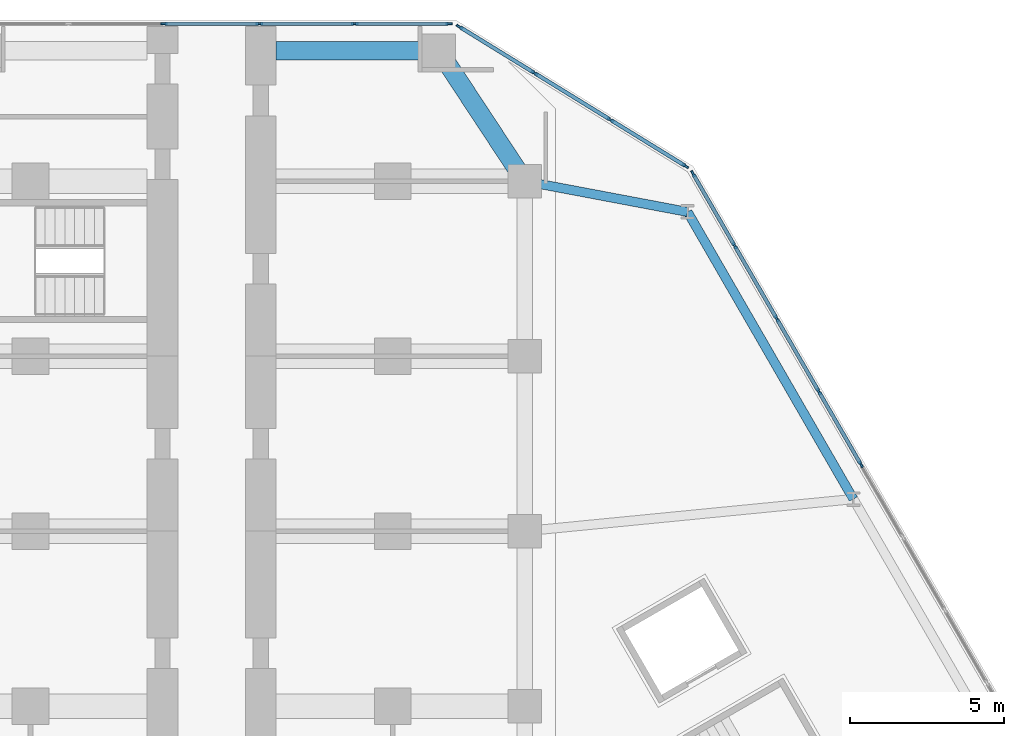
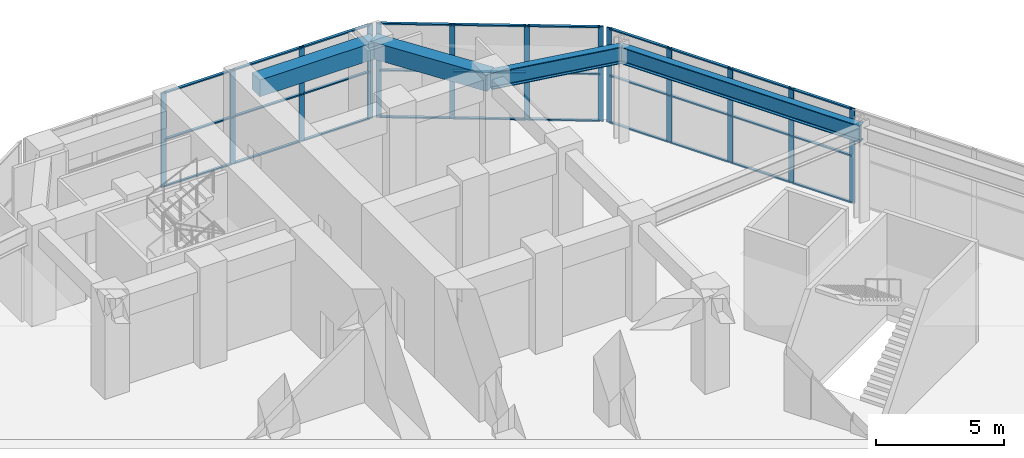
# One storey, part 10 of 22: 43 members, 4 beams, 3 elements without a shape of their own.
"""IFC4 building model written with IfcOpenShell, lengths in metres."""

import ifcopenshell
import ifcopenshell.guid

model = None  # the IFC model being written
_history = None  # IfcOwnerHistory: only IFC2X3 demands one
_inside = {}  # id of a spatial element -> (the spatial element, [elements in it])
_under = {}  # id of a project, library or spatial element -> (it, [spatial elements below it])
_declared = {}  # id of a project -> (the project, [libraries it declares])
_typed = {}  # id of a type object -> (the type object, [elements of that type])
_made_of = {}  # id of a material, layer set ... -> (it, [elements and type objects made of it])


def new_model(schema):
    """Start an empty IFC model of exactly this schema.

    Asked for "IFC4X3", IfcOpenShell would pick the latest addendum, in which some entities
    have other attributes; the version numbers below select the first issue.
    IFC2X3 requires an IfcOwnerHistory on every rooted entity: one is made here for all.
    """
    global model, _history
    if schema == "IFC4X3":
        model = ifcopenshell.file(schema_version=(4, 3, 0, 0))
    else:
        model = ifcopenshell.file(schema=schema)
    _inside.clear()
    _under.clear()
    _declared.clear()
    _typed.clear()
    _made_of.clear()
    _history = None
    if model.schema == "IFC2X3":
        org = make("IfcOrganization", Name="unknown")
        user = make(
            "IfcPersonAndOrganization",
            ThePerson=make("IfcPerson", FamilyName="unknown"),
            TheOrganization=org,
        )
        app = make(
            "IfcApplication",
            ApplicationDeveloper=org,
            Version="unknown",
            ApplicationFullName="unknown",
            ApplicationIdentifier="unknown",
        )
        _history = make(
            "IfcOwnerHistory",
            OwningUser=user,
            OwningApplication=app,
            ChangeAction="ADDED",
            CreationDate=0,
        )
    return model


def make(cls, **values):
    """One entity of the class cls with the attributes given. An attribute that is None is left unset."""
    return model.create_entity(
        cls, **{name: value for name, value in values.items() if value is not None}
    )


def rooted(cls, **values):
    """An entity with a GlobalId (a new one), such as an element, a storey or a relation."""
    return make(cls, GlobalId=ifcopenshell.guid.new(), OwnerHistory=_history, **values)


def si_unit(unit_type, name, prefix=None):
    """IfcSIUnit, for example si_unit("LENGTHUNIT", "METRE", prefix="MILLI")."""
    return make("IfcSIUnit", UnitType=unit_type, Prefix=prefix, Name=name)


def assignment(units):
    """IfcUnitAssignment: the units of a project."""
    return None if units is None else make("IfcUnitAssignment", Units=units)


def point(xyz):
    """IfcCartesianPoint."""
    return None if xyz is None else make("IfcCartesianPoint", Coordinates=xyz)


def direction(xyz):
    """IfcDirection."""
    return None if xyz is None else make("IfcDirection", DirectionRatios=xyz)


def frame(location, z_axis=None, x_axis=None):
    """IfcAxis2Placement3D, a coordinate frame: its origin and axes. An axis left out is left unset."""
    return make(
        "IfcAxis2Placement3D",
        Location=point(location),
        Axis=direction(z_axis),
        RefDirection=direction(x_axis),
    )


def frame_2d(location, x_axis=None):
    """IfcAxis2Placement2D, a coordinate frame in the plane: its origin and x axis."""
    return make(
        "IfcAxis2Placement2D", Location=point(location), RefDirection=direction(x_axis)
    )


def origin():
    """The frame at (0, 0, 0) with its axes left unset."""
    return frame((0.0, 0.0, 0.0))


def origin_2d():
    """The frame at (0, 0) in the plane with its x axis left unset."""
    return frame_2d((0.0, 0.0))


def place(relative_to, where):
    """IfcLocalPlacement: puts the frame where relative to a parent placement (None: the world)."""
    return make(
        "IfcLocalPlacement", PlacementRelTo=relative_to, RelativePlacement=where
    )


def context(
    kind, dimensions, precision=None, world=None, true_north=None, identifier=None
):
    """IfcGeometricRepresentationContext, for example the 3D "Model" context."""
    return make(
        "IfcGeometricRepresentationContext",
        ContextIdentifier=identifier,
        ContextType=kind,
        CoordinateSpaceDimension=dimensions,
        Precision=precision,
        WorldCoordinateSystem=world,
        TrueNorth=true_north,
    )


def subcontext(parent, identifier, kind, view, scale=None):
    """IfcGeometricRepresentationSubContext, for example "Body" below "Model"."""
    return make(
        "IfcGeometricRepresentationSubContext",
        ContextIdentifier=identifier,
        ContextType=kind,
        ParentContext=parent,
        TargetScale=scale,
        TargetView=view,
    )


def project(units=None, contexts=None):
    """IfcProject with its units and contexts."""
    return rooted(
        "IfcProject",
        Name="project",
        RepresentationContexts=contexts,
        UnitsInContext=assignment(units),
    )


def spatial(cls, under=None, at=None, **own):
    """A site, building, storey or space (cls), placed at a placement, below another one or the project."""
    s = rooted(cls, ObjectPlacement=at, **own)
    if under is not None:
        _under.setdefault(under.id(), (under, []))[1].append(s)
    return s


def profile(cls, at=None, kind="AREA", **sizes):
    """A parametric profile (cls). Its sizes go by their IFC names, for example OverallWidth=200.0."""
    return make(cls, ProfileType=kind, Position=at, **sizes)


def rectangle(**sizes):
    """IfcRectangleProfileDef."""
    return profile("IfcRectangleProfileDef", **sizes)


def i_section(**sizes):
    """IfcIShapeProfileDef."""
    return profile("IfcIShapeProfileDef", **sizes)


def extrude(swept, where, along, depth):
    """IfcExtrudedAreaSolid: the profile swept, set in the frame where, extruded along a direction by depth."""
    return make(
        "IfcExtrudedAreaSolid",
        SweptArea=swept,
        Position=where,
        ExtrudedDirection=direction(along),
        Depth=depth,
    )


def shape(context_of_items, identifier, shape_type, items):
    """IfcShapeRepresentation: the items that make up one representation, for example the "Body"."""
    return make(
        "IfcShapeRepresentation",
        ContextOfItems=context_of_items,
        RepresentationIdentifier=identifier,
        RepresentationType=shape_type,
        Items=items,
    )


def material(Name=None, Category=None):
    """IfcMaterial."""
    return make("IfcMaterial", Name=Name, Category=Category)


def material_profile(
    of_material, cross_section, Name=None, Category=None, Priority=None
):
    """IfcMaterialProfile: a cross section and its material."""
    return make(
        "IfcMaterialProfile",
        Name=Name,
        Material=of_material,
        Profile=cross_section,
        Priority=Priority,
        Category=Category,
    )


def profile_set(profiles, Name=None, composite=None):
    """IfcMaterialProfileSet."""
    return make(
        "IfcMaterialProfileSet",
        Name=Name,
        MaterialProfiles=profiles,
        CompositeProfile=composite,
    )


def made_of(thing, what):
    """Note that an element or type object is made of a material, layer set ...; save() writes the relation."""
    if what is not None:
        _made_of.setdefault(what.id(), (what, []))[1].append(thing)
    return thing


def type_object(cls, material=None, **own):
    """A type object (cls), such as IfcWallType, which elements share."""
    return made_of(rooted(cls, **own), material)


def element(
    cls,
    number,
    at=None,
    inside=None,
    cuts=None,
    type_object=None,
    material=None,
    context=None,
    identifier="Body",
    shape_type=None,
    held_by="IfcProductDefinitionShape",
    body=None,
    shapes=None,
    **own,
):
    """One element of the class cls, such as IfcWall. Its Tag is "e" and its number.

    at: its placement. inside: the storey or other place that contains it. cuts: it is an
    opening in that element (IfcRelVoidsElement). A single representation is given by context,
    identifier, shape_type and body (its items); several are given by shapes. held_by: the class
    of the entity that holds the representations. save() writes the other relations.
    """
    e = rooted(cls, Tag="e%d" % number, ObjectPlacement=at, **own)
    if body is not None:
        shapes = [shape(context, identifier, shape_type, body)]
    if shapes is not None:
        e.Representation = make(held_by, Representations=shapes)
    if inside is not None:
        _inside.setdefault(inside.id(), (inside, []))[1].append(e)
    if cuts is not None:
        rooted(
            "IfcRelVoidsElement", RelatingBuildingElement=cuts, RelatedOpeningElement=e
        )
    if type_object is not None:
        _typed.setdefault(type_object.id(), (type_object, []))[1].append(e)
    return made_of(e, material)


def aggregate(whole, parts):
    """IfcRelAggregates: a whole, such as a stair, and the parts it consists of."""
    return rooted("IfcRelAggregates", RelatingObject=whole, RelatedObjects=parts)


def save(model, path):
    """Write the relations noted so far, then the file.

    IfcRelAggregates (storeys below a building ...), IfcRelContainedInSpatialStructure (elements
    in a storey), IfcRelDefinesByType, IfcRelAssociatesMaterial and IfcRelDeclares: one each for
    every whole, place, type object, material and project.
    """
    for whole, parts in _under.values():
        aggregate(whole, parts)
    for where, things in _inside.values():
        rooted(
            "IfcRelContainedInSpatialStructure",
            RelatedElements=things,
            RelatingStructure=where,
        )
    for kind, things in _typed.values():
        rooted("IfcRelDefinesByType", RelatedObjects=things, RelatingType=kind)
    for what, things in _made_of.values():
        rooted("IfcRelAssociatesMaterial", RelatedObjects=things, RelatingMaterial=what)
    for by, libraries in _declared.values():
        rooted("IfcRelDeclares", RelatingContext=by, RelatedDefinitions=libraries)
    model.write(path)


model = new_model("IFC4")

# Units and contexts
model_context = context("Model", 3, precision=1e-05, world=origin(), true_north=direction((0.0, 1.0)))
body_context = subcontext(model_context, "Body", "Model", "MODEL_VIEW")
ifc_project = project(units=[si_unit("LENGTHUNIT", "METRE"), si_unit("AREAUNIT", "SQUARE_METRE"), si_unit("VOLUMEUNIT", "CUBIC_METRE"), si_unit("PLANEANGLEUNIT", "RADIAN"), si_unit("MASSUNIT", "GRAM", prefix="KILO")], contexts=[model_context])

# Site, building, storey
site_placement = place(None, origin())
site = spatial("IfcSite", under=ifc_project, at=site_placement, CompositionType="ELEMENT")
building_placement = place(site_placement, origin())
building = spatial("IfcBuilding", under=site, at=building_placement, Name="Kosmar Iwan School Tower", CompositionType="ELEMENT")
storey_placement = place(building_placement, frame((0.0, 0.0, 15.60009765625)))
storey = spatial("IfcBuildingStorey", under=building, at=storey_placement, Name="L03", CompositionType="ELEMENT", Elevation=15.60009765625)

# Beams
ifc_material_1 = material(Name="Steel S355", Category="steel")
ifc_material_profile_1 = material_profile(ifc_material_1, i_section(OverallWidth=0.300048828125, OverallDepth=0.800048828125, WebThickness=0.017578125, FlangeThickness=0.032958984375, FilletRadius=0.030029296875, at=origin_2d()), Name="HE 800 B")
ifc_profile_set_1 = profile_set([ifc_material_profile_1], Name="Steel S355")
beam_type_1 = type_object("IfcBeamType", Name="Infill edge beam HE 800 B", PredefinedType="BEAM", material=ifc_profile_set_1)
beam_1_placement = place(storey_placement, frame((10.199951171875, 29.35009765625, 4.099853515625), z_axis=(0.982642984394, -0.185506779446, 0.0), x_axis=(0.185506779446, 0.982642984394, 0.0)))
element("IfcBeam", 1, at=beam_1_placement, inside=storey, type_object=beam_type_1, Name="Infill edge beam AC1", PredefinedType="BEAM", context=body_context, shape_type="SweptSolid", body=[
    extrude(i_section(OverallWidth=0.300048828125, OverallDepth=0.800048828125, WebThickness=0.017578125, FlangeThickness=0.032958984375, FilletRadius=0.030029296875, at=origin_2d()), origin(), (0.0, 0.0, 1.0), 5.39599609375),
])
beam_2_placement = place(storey_placement, frame((15.502197265625, 28.34912109375, 4.099853515625), z_axis=(0.500012057535, -0.866018442252, 0.0), x_axis=(0.866018442252, 0.500012057535, 0.0)))
element("IfcBeam", 2, at=beam_2_placement, inside=storey, type_object=beam_type_1, Name="Infill edge beam AC2", PredefinedType="BEAM", context=body_context, shape_type="SweptSolid", body=[
    extrude(i_section(OverallWidth=0.300048828125, OverallDepth=0.800048828125, WebThickness=0.017578125, FlangeThickness=0.032958984375, FilletRadius=0.030029296875, at=origin_2d()), origin(), (0.0, 0.0, 1.0), 10.800048828125),
])

# Curtain wall, members
ifc_material_2 = material(Name="Dark glass in black aluminium frame", Category="aluminium")
curtain_wall_type_1 = type_object("IfcCurtainWallType", Name="Podium curtain wall", PredefinedType="USERDEFINED", material=ifc_material_2)
curtain_wall_1_placement = place(storey_placement, origin())
curtain_wall_1 = element("IfcCurtainWall", 3, at=curtain_wall_1_placement, inside=storey, type_object=curtain_wall_type_1, Name="Curtain wall L03-F04", ObjectType="STICK CURTAIN WALL", PredefinedType="USERDEFINED")
ifc_material_3 = material(Name="Black anodised aluminium", Category="aluminium")
ifc_material_profile_2 = material_profile(ifc_material_3, rectangle(XDim=0.06494140625, YDim=0.219970703125, at=origin_2d()), Name="MULLION 65x220")
ifc_profile_set_2 = profile_set([ifc_material_profile_2], Name="Black anodised aluminium")
member_type_1 = type_object("IfcMemberType", Name="Podium mullion 65x220", PredefinedType="MULLION", material=ifc_profile_set_2)
member_1_placement = place(storey_placement, frame((21.14697265625, 20.12255859375, 0.0), z_axis=(0.0, 0.0, 1.0), x_axis=(-0.866025390869, -0.50000002237, 0.0)))
member_1 = element("IfcMember", 4, at=member_1_placement, type_object=member_type_1, Name="CW3 mullion 10", PredefinedType="MULLION", context=body_context, shape_type="SweptSolid", body=[
    extrude(rectangle(XDim=0.06494140625, YDim=0.219970703125, at=origin_2d()), origin(), (0.0, 0.0, 1.0), 4.5),
])
member_2_placement = place(storey_placement, frame((19.776123046875, 22.49658203125, 0.0), z_axis=(0.0, 0.0, 1.0), x_axis=(-0.866025390869, -0.50000002237, 0.0)))
member_2 = element("IfcMember", 5, at=member_2_placement, type_object=member_type_1, Name="CW3 mullion 11", PredefinedType="MULLION", context=body_context, shape_type="SweptSolid", body=[
    extrude(rectangle(XDim=0.06494140625, YDim=0.219970703125, at=origin_2d()), origin(), (0.0, 0.0, 1.0), 4.5),
])
member_3_placement = place(storey_placement, frame((18.405517578125, 24.87060546875, 0.0), z_axis=(0.0, 0.0, 1.0), x_axis=(-0.866025390869, -0.50000002237, 0.0)))
member_3 = element("IfcMember", 6, at=member_3_placement, type_object=member_type_1, Name="CW3 mullion 12", PredefinedType="MULLION", context=body_context, shape_type="SweptSolid", body=[
    extrude(rectangle(XDim=0.06494140625, YDim=0.219970703125, at=origin_2d()), origin(), (0.0, 0.0, 1.0), 4.5),
])
member_4_placement = place(storey_placement, frame((17.034912109375, 27.24462890625, 0.0), z_axis=(0.0, 0.0, 1.0), x_axis=(-0.866025390869, -0.50000002237, 0.0)))
member_4 = element("IfcMember", 7, at=member_4_placement, type_object=member_type_1, Name="CW3 mullion 13", PredefinedType="MULLION", context=body_context, shape_type="SweptSolid", body=[
    extrude(rectangle(XDim=0.06494140625, YDim=0.219970703125, at=origin_2d()), origin(), (0.0, 0.0, 1.0), 4.5),
])
member_5_placement = place(storey_placement, frame((15.680419921875, 29.590576171875, 0.0), z_axis=(0.0, 0.0, 1.0), x_axis=(-0.866025390869, -0.50000002237, 0.0)))
member_5 = element("IfcMember", 8, at=member_5_placement, type_object=member_type_1, Name="CW3 mullion 14", PredefinedType="MULLION", context=body_context, shape_type="SweptSolid", body=[
    extrude(rectangle(XDim=0.06494140625, YDim=0.219970703125, at=origin_2d()), origin(), (0.0, 0.0, 1.0), 4.5),
])

curtain_wall_2_placement = place(storey_placement, origin())
curtain_wall_2 = element("IfcCurtainWall", 9, at=curtain_wall_2_placement, inside=storey, type_object=curtain_wall_type_1, Name="Curtain wall L03-F05", ObjectType="STICK CURTAIN WALL", PredefinedType="USERDEFINED")
member_6_placement = place(storey_placement, frame((15.433837890625, 29.84423828125, 0.0), z_axis=(0.0, 0.0, 1.0), x_axis=(-0.524381722801, -0.851483299186, 0.0)))
member_6 = element("IfcMember", 10, at=member_6_placement, type_object=member_type_1, Name="CW3 mullion 1", PredefinedType="MULLION", context=body_context, shape_type="SweptSolid", body=[
    extrude(rectangle(XDim=0.06494140625, YDim=0.219970703125, at=origin_2d()), origin(), (0.0, 0.0, 1.0), 4.5),
])
member_7_placement = place(storey_placement, frame((12.988525390625, 31.350341796875, 0.0), z_axis=(0.0, 0.0, 1.0), x_axis=(-0.524381722801, -0.851483299186, 0.0)))
member_7 = element("IfcMember", 11, at=member_7_placement, type_object=member_type_1, Name="CW3 mullion 2", PredefinedType="MULLION", context=body_context, shape_type="SweptSolid", body=[
    extrude(rectangle(XDim=0.06494140625, YDim=0.219970703125, at=origin_2d()), origin(), (0.0, 0.0, 1.0), 4.5),
])
member_8_placement = place(storey_placement, frame((10.515380859375, 32.873291015625, 0.0), z_axis=(0.0, 0.0, 1.0), x_axis=(-0.524381722801, -0.851483299186, 0.0)))
member_8 = element("IfcMember", 12, at=member_8_placement, type_object=member_type_1, Name="CW3 mullion 3", PredefinedType="MULLION", context=body_context, shape_type="SweptSolid", body=[
    extrude(rectangle(XDim=0.06494140625, YDim=0.219970703125, at=origin_2d()), origin(), (0.0, 0.0, 1.0), 4.5),
])
member_9_placement = place(storey_placement, frame((8.070068359375, 34.37939453125, 0.0), z_axis=(0.0, 0.0, 1.0), x_axis=(-0.524381722801, -0.851483299186, 0.0)))
member_9 = element("IfcMember", 13, at=member_9_placement, type_object=member_type_1, Name="CW3 mullion 4", PredefinedType="MULLION", context=body_context, shape_type="SweptSolid", body=[
    extrude(rectangle(XDim=0.06494140625, YDim=0.219970703125, at=origin_2d()), origin(), (0.0, 0.0, 1.0), 4.5),
])

ifc_material_4 = material(Name="Dark glass in black aluminium frame", Category="aluminium")
curtain_wall_type_2 = type_object("IfcCurtainWallType", Name="Tower curtain wall dark glass", PredefinedType="USERDEFINED", material=ifc_material_4)
curtain_wall_3_placement = place(storey_placement, origin())
curtain_wall_3 = element("IfcCurtainWall", 14, at=curtain_wall_3_placement, inside=storey, type_object=curtain_wall_type_2, Name="Curtain wall L03-F06", ObjectType="UNITISED CURTAIN WALL", PredefinedType="USERDEFINED")
member_10_placement = place(storey_placement, frame((7.732177734375, 34.47509765625, 0.0), z_axis=(0.0, 0.0, 1.0), x_axis=(0.0, -1.0, 0.0)))
member_10 = element("IfcMember", 15, at=member_10_placement, type_object=member_type_1, Name="CW1 mullion 1", PredefinedType="MULLION", context=body_context, shape_type="SweptSolid", body=[
    extrude(rectangle(XDim=0.06494140625, YDim=0.219970703125, at=origin_2d()), origin(), (0.0, 0.0, 1.0), 4.5),
])
member_11_placement = place(storey_placement, frame((4.65869140625, 34.47509765625, 0.0), z_axis=(0.0, 0.0, 1.0), x_axis=(0.0, -1.0, 0.0)))
member_11 = element("IfcMember", 16, at=member_11_placement, type_object=member_type_1, Name="CW1 mullion 2", PredefinedType="MULLION", context=body_context, shape_type="SweptSolid", body=[
    extrude(rectangle(XDim=0.06494140625, YDim=0.219970703125, at=origin_2d()), origin(), (0.0, 0.0, 1.0), 4.5),
])
member_12_placement = place(storey_placement, frame((1.552978515625, 34.47509765625, 0.0), z_axis=(0.0, 0.0, 1.0), x_axis=(0.0, -1.0, 0.0)))
member_12 = element("IfcMember", 17, at=member_12_placement, type_object=member_type_1, Name="CW1 mullion 3", PredefinedType="MULLION", context=body_context, shape_type="SweptSolid", body=[
    extrude(rectangle(XDim=0.06494140625, YDim=0.219970703125, at=origin_2d()), origin(), (0.0, 0.0, 1.0), 4.5),
])
member_13_placement = place(storey_placement, frame((-1.552978515625, 34.47509765625, 0.0), z_axis=(0.0, 0.0, 1.0), x_axis=(0.0, -1.0, 0.0)))
member_13 = element("IfcMember", 18, at=member_13_placement, type_object=member_type_1, Name="CW1 mullion 4", PredefinedType="MULLION", context=body_context, shape_type="SweptSolid", body=[
    extrude(rectangle(XDim=0.06494140625, YDim=0.219970703125, at=origin_2d()), origin(), (0.0, 0.0, 1.0), 4.5),
])

# Beams
ifc_material_5 = material(Name="Concrete C50/60", Category="concrete")
ifc_material_profile_3 = material_profile(ifc_material_5, rectangle(XDim=0.60009765625, YDim=0.800048828125, at=origin_2d()), Name="RC 600x800")
ifc_profile_set_3 = profile_set([ifc_material_profile_3], Name="Concrete C50/60")
beam_type_2 = type_object("IfcBeamType", Name="RC tip beam 600x800", PredefinedType="BEAM", material=ifc_profile_set_3)
beam_3_placement = place(storey_placement, frame((10.199951171875, 29.35009765625, 4.099853515625), z_axis=(-0.550164383043, 0.835056376319, 0.0), x_axis=(-0.835056376319, -0.550164383043, 0.0)))
element("IfcBeam", 19, at=beam_3_placement, inside=storey, type_object=beam_type_2, Name="Tip beam AR", PredefinedType="BEAM", context=body_context, shape_type="SweptSolid", body=[
    extrude(rectangle(XDim=0.60009765625, YDim=0.800048828125, at=origin_2d()), origin(), (0.0, 0.0, 1.0), 5.08935546875),
])
beam_4_placement = place(storey_placement, frame((7.39990234375, 33.60009765625, 4.099853515625), z_axis=(-1.0, 0.0, 0.0), x_axis=(0.0, -1.0, 0.0)))
element("IfcBeam", 20, at=beam_4_placement, inside=storey, type_object=beam_type_2, Name="Tip beam AR to corridor wall", PredefinedType="BEAM", context=body_context, shape_type="SweptSolid", body=[
    extrude(rectangle(XDim=0.60009765625, YDim=0.800048828125, at=origin_2d()), origin(), (0.0, 0.0, 1.0), 5.2998046875),
])

# Member
ifc_material_6 = material(Name="Black anodised aluminium", Category="aluminium")
ifc_material_profile_4 = material_profile(ifc_material_6, rectangle(XDim=0.1201171875, YDim=0.06005859375, at=origin_2d()), Name="TRANSOM 60x120")
ifc_profile_set_4 = profile_set([ifc_material_profile_4], Name="Black anodised aluminium")
member_type_2 = type_object("IfcMemberType", Name="Transom 60x120", PredefinedType="USERDEFINED", material=ifc_profile_set_4)
member_14_placement = place(storey_placement, frame((21.130615234375, 20.150634765625, 0.02978515625), z_axis=(-0.499975134057, 0.866039759667, 0.0), x_axis=(-0.866039759667, -0.499975134057, 0.0)))
member_14 = element("IfcMember", 21, at=member_14_placement, type_object=member_type_2, Name="CW3 transom 10.1", ObjectType="TRANSOM", PredefinedType="USERDEFINED", context=body_context, shape_type="SweptSolid", body=[
    extrude(rectangle(XDim=0.1201171875, YDim=0.06005859375, at=origin_2d()), origin(), (0.0, 0.0, 1.0), 2.676513671875),
])

member_15_placement = place(storey_placement, frame((21.130615234375, 20.150634765625, 2.25), z_axis=(-0.499975134057, 0.866039759667, 0.0), x_axis=(-0.866039759667, -0.499975134057, 0.0)))
member_15 = element("IfcMember", 22, at=member_15_placement, type_object=member_type_2, Name="CW3 transom 10.2", ObjectType="TRANSOM", PredefinedType="USERDEFINED", context=body_context, shape_type="SweptSolid", body=[
    extrude(rectangle(XDim=0.1201171875, YDim=0.06005859375, at=origin_2d()), origin(), (0.0, 0.0, 1.0), 2.676513671875),
])

member_16_placement = place(storey_placement, frame((21.130615234375, 20.150634765625, 4.469970703125), z_axis=(-0.499975134057, 0.866039759667, 0.0), x_axis=(-0.866039759667, -0.499975134057, 0.0)))
member_16 = element("IfcMember", 23, at=member_16_placement, type_object=member_type_2, Name="CW3 transom 10.3", ObjectType="TRANSOM", PredefinedType="USERDEFINED", context=body_context, shape_type="SweptSolid", body=[
    extrude(rectangle(XDim=0.1201171875, YDim=0.06005859375, at=origin_2d()), origin(), (0.0, 0.0, 1.0), 2.676513671875),
])

member_17_placement = place(storey_placement, frame((19.760009765625, 22.524658203125, 0.02978515625), z_axis=(-0.499975134057, 0.866039759667, 0.0), x_axis=(-0.866039759667, -0.499975134057, 0.0)))
member_17 = element("IfcMember", 24, at=member_17_placement, type_object=member_type_2, Name="CW3 transom 11.1", ObjectType="TRANSOM", PredefinedType="USERDEFINED", context=body_context, shape_type="SweptSolid", body=[
    extrude(rectangle(XDim=0.1201171875, YDim=0.06005859375, at=origin_2d()), origin(), (0.0, 0.0, 1.0), 2.676513671875),
])

member_18_placement = place(storey_placement, frame((19.760009765625, 22.524658203125, 2.25), z_axis=(-0.499975134057, 0.866039759667, 0.0), x_axis=(-0.866039759667, -0.499975134057, 0.0)))
member_18 = element("IfcMember", 25, at=member_18_placement, type_object=member_type_2, Name="CW3 transom 11.2", ObjectType="TRANSOM", PredefinedType="USERDEFINED", context=body_context, shape_type="SweptSolid", body=[
    extrude(rectangle(XDim=0.1201171875, YDim=0.06005859375, at=origin_2d()), origin(), (0.0, 0.0, 1.0), 2.676513671875),
])

member_19_placement = place(storey_placement, frame((19.760009765625, 22.524658203125, 4.469970703125), z_axis=(-0.499975134057, 0.866039759667, 0.0), x_axis=(-0.866039759667, -0.499975134057, 0.0)))
member_19 = element("IfcMember", 26, at=member_19_placement, type_object=member_type_2, Name="CW3 transom 11.3", ObjectType="TRANSOM", PredefinedType="USERDEFINED", context=body_context, shape_type="SweptSolid", body=[
    extrude(rectangle(XDim=0.1201171875, YDim=0.06005859375, at=origin_2d()), origin(), (0.0, 0.0, 1.0), 2.676513671875),
])

member_20_placement = place(storey_placement, frame((18.389404296875, 24.898681640625, 0.02978515625), z_axis=(-0.499975134057, 0.866039759667, 0.0), x_axis=(-0.866039759667, -0.499975134057, 0.0)))
member_20 = element("IfcMember", 27, at=member_20_placement, type_object=member_type_2, Name="CW3 transom 12.1", ObjectType="TRANSOM", PredefinedType="USERDEFINED", context=body_context, shape_type="SweptSolid", body=[
    extrude(rectangle(XDim=0.1201171875, YDim=0.06005859375, at=origin_2d()), origin(), (0.0, 0.0, 1.0), 2.676513671875),
])

member_21_placement = place(storey_placement, frame((18.389404296875, 24.898681640625, 2.25), z_axis=(-0.499975134057, 0.866039759667, 0.0), x_axis=(-0.866039759667, -0.499975134057, 0.0)))
member_21 = element("IfcMember", 28, at=member_21_placement, type_object=member_type_2, Name="CW3 transom 12.2", ObjectType="TRANSOM", PredefinedType="USERDEFINED", context=body_context, shape_type="SweptSolid", body=[
    extrude(rectangle(XDim=0.1201171875, YDim=0.06005859375, at=origin_2d()), origin(), (0.0, 0.0, 1.0), 2.676513671875),
])

member_22_placement = place(storey_placement, frame((18.389404296875, 24.898681640625, 4.469970703125), z_axis=(-0.499975134057, 0.866039759667, 0.0), x_axis=(-0.866039759667, -0.499975134057, 0.0)))
member_22 = element("IfcMember", 29, at=member_22_placement, type_object=member_type_2, Name="CW3 transom 12.3", ObjectType="TRANSOM", PredefinedType="USERDEFINED", context=body_context, shape_type="SweptSolid", body=[
    extrude(rectangle(XDim=0.1201171875, YDim=0.06005859375, at=origin_2d()), origin(), (0.0, 0.0, 1.0), 2.676513671875),
])

member_23_placement = place(storey_placement, frame((17.0185546875, 27.272705078125, 0.02978515625), z_axis=(-0.499932946999, 0.866064113392, 0.0), x_axis=(-0.866064113392, -0.499932946999, 0.0)))
member_23 = element("IfcMember", 30, at=member_23_placement, type_object=member_type_2, Name="CW3 transom 13.1", ObjectType="TRANSOM", PredefinedType="USERDEFINED", context=body_context, shape_type="SweptSolid", body=[
    extrude(rectangle(XDim=0.1201171875, YDim=0.06005859375, at=origin_2d()), origin(), (0.0, 0.0, 1.0), 2.643798828125),
])

member_24_placement = place(storey_placement, frame((17.0185546875, 27.272705078125, 2.25), z_axis=(-0.499932946999, 0.866064113392, 0.0), x_axis=(-0.866064113392, -0.499932946999, 0.0)))
member_24 = element("IfcMember", 31, at=member_24_placement, type_object=member_type_2, Name="CW3 transom 13.2", ObjectType="TRANSOM", PredefinedType="USERDEFINED", context=body_context, shape_type="SweptSolid", body=[
    extrude(rectangle(XDim=0.1201171875, YDim=0.06005859375, at=origin_2d()), origin(), (0.0, 0.0, 1.0), 2.643798828125),
])

member_25_placement = place(storey_placement, frame((17.0185546875, 27.272705078125, 4.469970703125), z_axis=(-0.499932946999, 0.866064113392, 0.0), x_axis=(-0.866064113392, -0.499932946999, 0.0)))
member_25 = element("IfcMember", 32, at=member_25_placement, type_object=member_type_2, Name="CW3 transom 13.3", ObjectType="TRANSOM", PredefinedType="USERDEFINED", context=body_context, shape_type="SweptSolid", body=[
    extrude(rectangle(XDim=0.1201171875, YDim=0.06005859375, at=origin_2d()), origin(), (0.0, 0.0, 1.0), 2.643798828125),
])

aggregate(curtain_wall_1, [member_1, member_2, member_3, member_4, member_5, member_14, member_15, member_16, member_17, member_18, member_19, member_20, member_21, member_22, member_23, member_24, member_25])

member_26_placement = place(storey_placement, frame((15.40625, 29.861328125, 0.02978515625), z_axis=(-0.851488054059, 0.52437400183, 0.0), x_axis=(-0.52437400183, -0.851488054059, 0.0)))
member_26 = element("IfcMember", 33, at=member_26_placement, type_object=member_type_2, Name="CW3 transom 1.1", ObjectType="TRANSOM", PredefinedType="USERDEFINED", context=body_context, shape_type="SweptSolid", body=[
    extrude(rectangle(XDim=0.1201171875, YDim=0.06005859375, at=origin_2d()), origin(), (0.0, 0.0, 1.0), 2.80712890625),
])

member_27_placement = place(storey_placement, frame((15.40625, 29.861328125, 2.25), z_axis=(-0.851488054059, 0.52437400183, 0.0), x_axis=(-0.52437400183, -0.851488054059, 0.0)))
member_27 = element("IfcMember", 34, at=member_27_placement, type_object=member_type_2, Name="CW3 transom 1.2", ObjectType="TRANSOM", PredefinedType="USERDEFINED", context=body_context, shape_type="SweptSolid", body=[
    extrude(rectangle(XDim=0.1201171875, YDim=0.06005859375, at=origin_2d()), origin(), (0.0, 0.0, 1.0), 2.80712890625),
])

member_28_placement = place(storey_placement, frame((15.40625, 29.861328125, 4.469970703125), z_axis=(-0.851488054059, 0.52437400183, 0.0), x_axis=(-0.52437400183, -0.851488054059, 0.0)))
member_28 = element("IfcMember", 35, at=member_28_placement, type_object=member_type_2, Name="CW3 transom 1.3", ObjectType="TRANSOM", PredefinedType="USERDEFINED", context=body_context, shape_type="SweptSolid", body=[
    extrude(rectangle(XDim=0.1201171875, YDim=0.06005859375, at=origin_2d()), origin(), (0.0, 0.0, 1.0), 2.80712890625),
])

member_29_placement = place(storey_placement, frame((12.960693359375, 31.367431640625, 0.02978515625), z_axis=(-0.85151066898, 0.524337277536, 0.0), x_axis=(-0.524337277536, -0.85151066898, 0.0)))
member_29 = element("IfcMember", 36, at=member_29_placement, type_object=member_type_2, Name="CW3 transom 2.1", ObjectType="TRANSOM", PredefinedType="USERDEFINED", context=body_context, shape_type="SweptSolid", body=[
    extrude(rectangle(XDim=0.1201171875, YDim=0.06005859375, at=origin_2d()), origin(), (0.0, 0.0, 1.0), 2.83935546875),
])

member_30_placement = place(storey_placement, frame((12.960693359375, 31.367431640625, 2.25), z_axis=(-0.85151066898, 0.524337277536, 0.0), x_axis=(-0.524337277536, -0.85151066898, 0.0)))
member_30 = element("IfcMember", 37, at=member_30_placement, type_object=member_type_2, Name="CW3 transom 2.2", ObjectType="TRANSOM", PredefinedType="USERDEFINED", context=body_context, shape_type="SweptSolid", body=[
    extrude(rectangle(XDim=0.1201171875, YDim=0.06005859375, at=origin_2d()), origin(), (0.0, 0.0, 1.0), 2.83935546875),
])

member_31_placement = place(storey_placement, frame((12.960693359375, 31.367431640625, 4.469970703125), z_axis=(-0.85151066898, 0.524337277536, 0.0), x_axis=(-0.524337277536, -0.85151066898, 0.0)))
member_31 = element("IfcMember", 38, at=member_31_placement, type_object=member_type_2, Name="CW3 transom 2.3", ObjectType="TRANSOM", PredefinedType="USERDEFINED", context=body_context, shape_type="SweptSolid", body=[
    extrude(rectangle(XDim=0.1201171875, YDim=0.06005859375, at=origin_2d()), origin(), (0.0, 0.0, 1.0), 2.83935546875),
])

member_32_placement = place(storey_placement, frame((10.48779296875, 32.890380859375, 0.02978515625), z_axis=(-0.851488054059, 0.52437400183, 0.0), x_axis=(-0.52437400183, -0.851488054059, 0.0)))
member_32 = element("IfcMember", 39, at=member_32_placement, type_object=member_type_2, Name="CW3 transom 3.1", ObjectType="TRANSOM", PredefinedType="USERDEFINED", context=body_context, shape_type="SweptSolid", body=[
    extrude(rectangle(XDim=0.1201171875, YDim=0.06005859375, at=origin_2d()), origin(), (0.0, 0.0, 1.0), 2.80712890625),
])

member_33_placement = place(storey_placement, frame((10.48779296875, 32.890380859375, 2.25), z_axis=(-0.851488054059, 0.52437400183, 0.0), x_axis=(-0.52437400183, -0.851488054059, 0.0)))
member_33 = element("IfcMember", 40, at=member_33_placement, type_object=member_type_2, Name="CW3 transom 3.2", ObjectType="TRANSOM", PredefinedType="USERDEFINED", context=body_context, shape_type="SweptSolid", body=[
    extrude(rectangle(XDim=0.1201171875, YDim=0.06005859375, at=origin_2d()), origin(), (0.0, 0.0, 1.0), 2.80712890625),
])

member_34_placement = place(storey_placement, frame((10.48779296875, 32.890380859375, 4.469970703125), z_axis=(-0.851488054059, 0.52437400183, 0.0), x_axis=(-0.52437400183, -0.851488054059, 0.0)))
member_34 = element("IfcMember", 41, at=member_34_placement, type_object=member_type_2, Name="CW3 transom 3.3", ObjectType="TRANSOM", PredefinedType="USERDEFINED", context=body_context, shape_type="SweptSolid", body=[
    extrude(rectangle(XDim=0.1201171875, YDim=0.06005859375, at=origin_2d()), origin(), (0.0, 0.0, 1.0), 2.80712890625),
])

aggregate(curtain_wall_2, [member_6, member_7, member_8, member_9, member_26, member_27, member_28, member_29, member_30, member_31, member_32, member_33, member_34])

member_35_placement = place(storey_placement, frame((7.69970703125, 34.47509765625, 0.02978515625), z_axis=(-1.0, 0.0, 0.0), x_axis=(0.0, -1.0, 0.0)))
member_35 = element("IfcMember", 42, at=member_35_placement, type_object=member_type_2, Name="CW1 transom 1.1", ObjectType="TRANSOM", PredefinedType="USERDEFINED", context=body_context, shape_type="SweptSolid", body=[
    extrude(rectangle(XDim=0.1201171875, YDim=0.06005859375, at=origin_2d()), origin(), (0.0, 0.0, 1.0), 3.008544921875),
])

member_36_placement = place(storey_placement, frame((7.69970703125, 34.47509765625, 2.25), z_axis=(-1.0, 0.0, 0.0), x_axis=(0.0, -1.0, 0.0)))
member_36 = element("IfcMember", 43, at=member_36_placement, type_object=member_type_2, Name="CW1 transom 1.2", ObjectType="TRANSOM", PredefinedType="USERDEFINED", context=body_context, shape_type="SweptSolid", body=[
    extrude(rectangle(XDim=0.1201171875, YDim=0.06005859375, at=origin_2d()), origin(), (0.0, 0.0, 1.0), 3.008544921875),
])

member_37_placement = place(storey_placement, frame((7.69970703125, 34.47509765625, 4.469970703125), z_axis=(-1.0, 0.0, 0.0), x_axis=(0.0, -1.0, 0.0)))
member_37 = element("IfcMember", 44, at=member_37_placement, type_object=member_type_2, Name="CW1 transom 1.3", ObjectType="TRANSOM", PredefinedType="USERDEFINED", context=body_context, shape_type="SweptSolid", body=[
    extrude(rectangle(XDim=0.1201171875, YDim=0.06005859375, at=origin_2d()), origin(), (0.0, 0.0, 1.0), 3.008544921875),
])

member_38_placement = place(storey_placement, frame((4.626220703125, 34.47509765625, 0.02978515625), z_axis=(-1.0, 0.0, 0.0), x_axis=(0.0, -1.0, 0.0)))
member_38 = element("IfcMember", 45, at=member_38_placement, type_object=member_type_2, Name="CW1 transom 2.1", ObjectType="TRANSOM", PredefinedType="USERDEFINED", context=body_context, shape_type="SweptSolid", body=[
    extrude(rectangle(XDim=0.1201171875, YDim=0.06005859375, at=origin_2d()), origin(), (0.0, 0.0, 1.0), 3.040771484375),
])

member_39_placement = place(storey_placement, frame((4.626220703125, 34.47509765625, 2.25), z_axis=(-1.0, 0.0, 0.0), x_axis=(0.0, -1.0, 0.0)))
member_39 = element("IfcMember", 46, at=member_39_placement, type_object=member_type_2, Name="CW1 transom 2.2", ObjectType="TRANSOM", PredefinedType="USERDEFINED", context=body_context, shape_type="SweptSolid", body=[
    extrude(rectangle(XDim=0.1201171875, YDim=0.06005859375, at=origin_2d()), origin(), (0.0, 0.0, 1.0), 3.040771484375),
])

member_40_placement = place(storey_placement, frame((4.626220703125, 34.47509765625, 4.469970703125), z_axis=(-1.0, 0.0, 0.0), x_axis=(0.0, -1.0, 0.0)))
member_40 = element("IfcMember", 47, at=member_40_placement, type_object=member_type_2, Name="CW1 transom 2.3", ObjectType="TRANSOM", PredefinedType="USERDEFINED", context=body_context, shape_type="SweptSolid", body=[
    extrude(rectangle(XDim=0.1201171875, YDim=0.06005859375, at=origin_2d()), origin(), (0.0, 0.0, 1.0), 3.040771484375),
])

member_41_placement = place(storey_placement, frame((1.5205078125, 34.47509765625, 0.02978515625), z_axis=(-1.0, 0.0, 0.0), x_axis=(0.0, -1.0, 0.0)))
member_41 = element("IfcMember", 48, at=member_41_placement, type_object=member_type_2, Name="CW1 transom 3.1", ObjectType="TRANSOM", PredefinedType="USERDEFINED", context=body_context, shape_type="SweptSolid", body=[
    extrude(rectangle(XDim=0.1201171875, YDim=0.06005859375, at=origin_2d()), origin(), (0.0, 0.0, 1.0), 3.041015625),
])

member_42_placement = place(storey_placement, frame((1.5205078125, 34.47509765625, 2.25), z_axis=(-1.0, 0.0, 0.0), x_axis=(0.0, -1.0, 0.0)))
member_42 = element("IfcMember", 49, at=member_42_placement, type_object=member_type_2, Name="CW1 transom 3.2", ObjectType="TRANSOM", PredefinedType="USERDEFINED", context=body_context, shape_type="SweptSolid", body=[
    extrude(rectangle(XDim=0.1201171875, YDim=0.06005859375, at=origin_2d()), origin(), (0.0, 0.0, 1.0), 3.041015625),
])

member_43_placement = place(storey_placement, frame((1.5205078125, 34.47509765625, 4.469970703125), z_axis=(-1.0, 0.0, 0.0), x_axis=(0.0, -1.0, 0.0)))
member_43 = element("IfcMember", 50, at=member_43_placement, type_object=member_type_2, Name="CW1 transom 3.3", ObjectType="TRANSOM", PredefinedType="USERDEFINED", context=body_context, shape_type="SweptSolid", body=[
    extrude(rectangle(XDim=0.1201171875, YDim=0.06005859375, at=origin_2d()), origin(), (0.0, 0.0, 1.0), 3.041015625),
])

aggregate(curtain_wall_3, [member_10, member_11, member_12, member_13, member_35, member_36, member_37, member_38, member_39, member_40, member_41, member_42, member_43])

save(model, "model.ifc")
